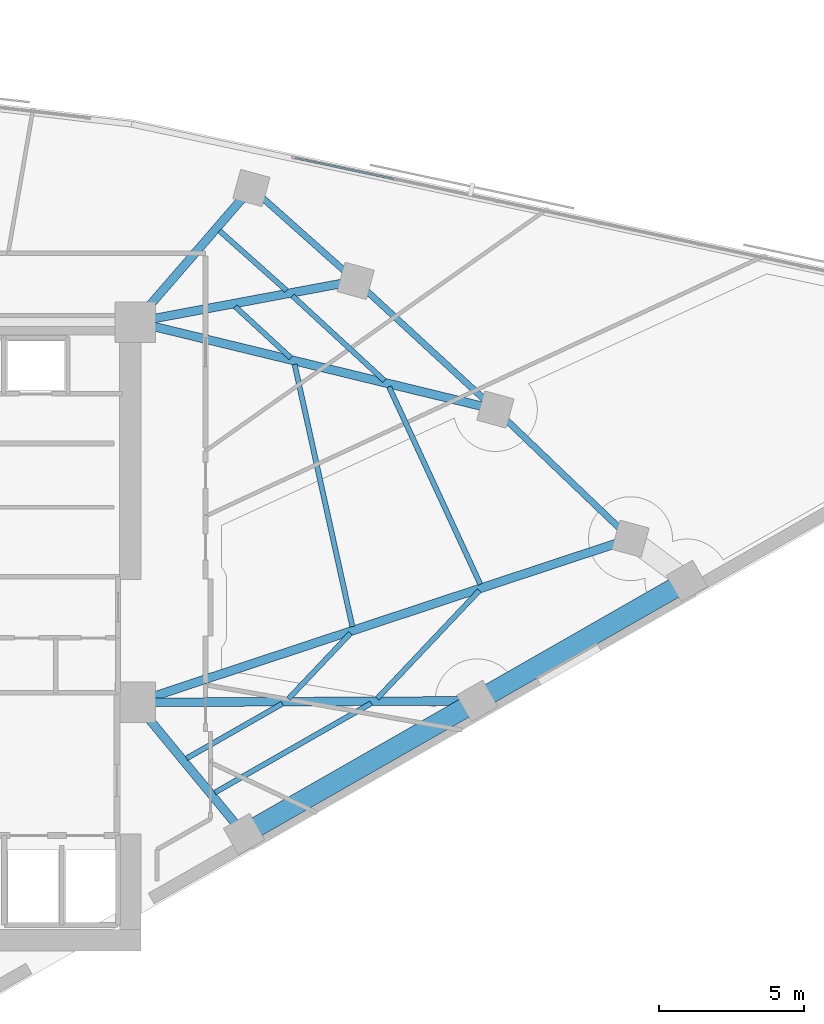
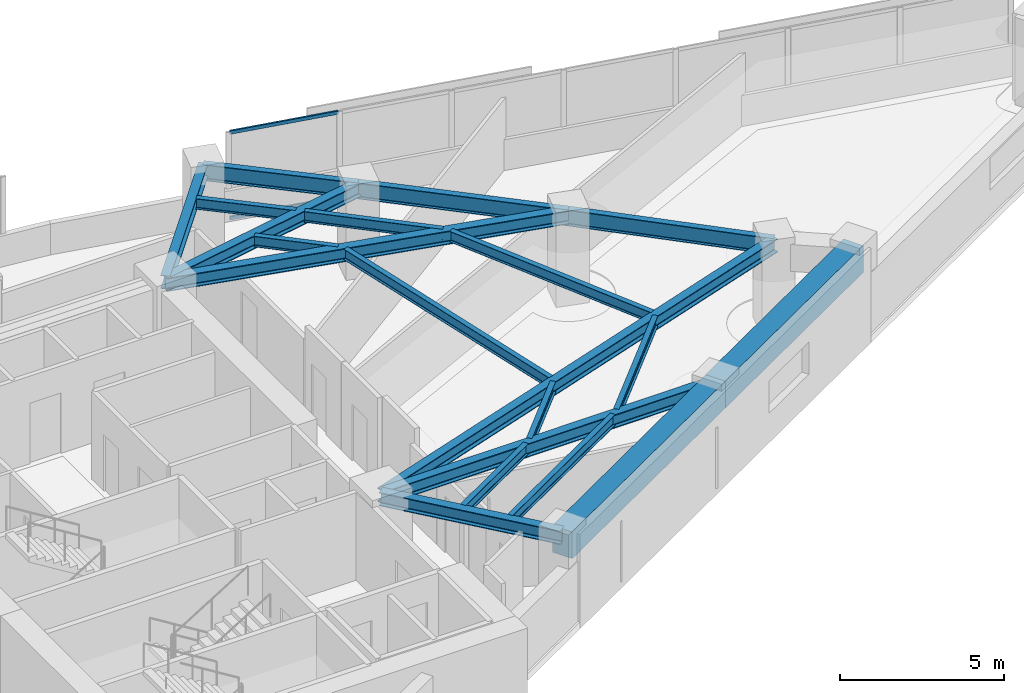
# One storey, part 3 of 14: 20 beams, 2 members, 1 element without a shape of its own.
"""IFC4 building model written with IfcOpenShell, lengths in metres."""

from ifc_helpers import new_model, si_unit, direction, frame, origin, origin_2d, place, context, subcontext, project, spatial, rectangle, hollow_rectangle, i_section, extrude, material, material_profile, profile_set, type_object, element, aggregate, save


model = new_model("IFC4")

# Units and contexts
model_context = context("Model", 3, precision=1e-05, world=origin(), true_north=direction((0.0, 1.0)))
body_context = subcontext(model_context, "Body", "Model", "MODEL_VIEW")
ifc_project = project(units=[si_unit("LENGTHUNIT", "METRE"), si_unit("AREAUNIT", "SQUARE_METRE"), si_unit("VOLUMEUNIT", "CUBIC_METRE"), si_unit("PLANEANGLEUNIT", "RADIAN"), si_unit("MASSUNIT", "GRAM", prefix="KILO")], contexts=[model_context])

# Site, building, storey
site_placement = place(None, origin())
site = spatial("IfcSite", under=ifc_project, at=site_placement, CompositionType="ELEMENT")
building_placement = place(site_placement, origin())
building = spatial("IfcBuilding", under=site, at=building_placement, Name="Narakoshi Arena Tower", CompositionType="ELEMENT")
storey_placement = place(building_placement, frame((0.0, 0.0, 207.93994140625)))
storey = spatial("IfcBuildingStorey", under=building, at=storey_placement, Name="L56", CompositionType="ELEMENT", Elevation=207.93994140625)

# Beams
ifc_material_1 = material(Name="Concrete C60/75", Category="concrete")
ifc_material_profile_1 = material_profile(ifc_material_1, rectangle(XDim=0.699951171875, YDim=1.0, at=origin_2d()), Name="RCB700x1000")
ifc_profile_set_1 = profile_set([ifc_material_profile_1], Name="Concrete C60/75")
beam_type_1 = type_object("IfcBeamType", Name="BM-CPL-1000", PredefinedType="BEAM", material=ifc_profile_set_1)
beam_1_placement = place(storey_placement, frame((89.30810546875, 38.798583984375, 2.760009765625), z_axis=(0.868201055882, 0.496212582031, 0.0), x_axis=(-0.496212582031, 0.868201055882, 0.0)))
element("IfcBeam", 1, at=beam_1_placement, inside=storey, type_object=beam_type_1, Name="L56 Perimeter Edge Girder 01", PredefinedType="BEAM", context=body_context, shape_type="SweptSolid", body=[
    extrude(rectangle(XDim=0.699951171875, YDim=1.0, at=origin_2d()), origin(), (0.0, 0.0, 1.0), 9.2822265625),
])
beam_2_placement = place(storey_placement, frame((97.366943359375, 43.404541015625, 2.760009765625), z_axis=(0.868192782093, 0.49622705803, 0.0), x_axis=(-0.49622705803, 0.868192782093, 0.0)))
element("IfcBeam", 2, at=beam_2_placement, inside=storey, type_object=beam_type_1, Name="L56 Perimeter Edge Girder 02", PredefinedType="BEAM", context=body_context, shape_type="SweptSolid", body=[
    extrude(rectangle(XDim=0.699951171875, YDim=1.0, at=origin_2d()), origin(), (0.0, 0.0, 1.0), 8.35400390625),
])
ifc_material_2 = material(Name="Structural steel S355J2", Category="steel")
ifc_material_profile_2 = material_profile(ifc_material_2, i_section(OverallWidth=0.219970703125, OverallDepth=0.60009765625, WebThickness=0.011962890625, FlangeThickness=0.01904296875, FilletRadius=0.02392578125, at=origin_2d()), Name="IPE600")
ifc_profile_set_2 = profile_set([ifc_material_profile_2], Name="Structural steel S355J2")
beam_type_2 = type_object("IfcBeamType", Name="BM-EDGE-600", PredefinedType="BEAM", material=ifc_profile_set_2)
beam_3_placement = place(storey_placement, frame((102.668701171875, 49.009521484375, 2.9599609375), z_axis=(-0.722814960544, 0.691041628858, 0.0), x_axis=(-0.691041628858, -0.722814960544, 0.0)))
element("IfcBeam", 3, at=beam_3_placement, inside=storey, type_object=beam_type_2, Name="L56 Perimeter Edge Girder 04", PredefinedType="BEAM", context=body_context, shape_type="SweptSolid", body=[
    extrude(i_section(OverallWidth=0.219970703125, OverallDepth=0.60009765625, WebThickness=0.011962890625, FlangeThickness=0.01904296875, FilletRadius=0.02392578125, at=origin_2d()), origin(), (0.0, 0.0, 1.0), 6.462158203125),
])
beam_4_placement = place(storey_placement, frame((97.997802734375, 53.47509765625, 2.9599609375), z_axis=(-0.735632357906, 0.677381010954, 0.0), x_axis=(-0.677381010954, -0.735632357906, 0.0)))
element("IfcBeam", 4, at=beam_4_placement, inside=storey, type_object=beam_type_2, Name="L56 Perimeter Edge Girder 05", PredefinedType="BEAM", context=body_context, shape_type="SweptSolid", body=[
    extrude(i_section(OverallWidth=0.219970703125, OverallDepth=0.60009765625, WebThickness=0.011962890625, FlangeThickness=0.01904296875, FilletRadius=0.02392578125, at=origin_2d()), origin(), (0.0, 0.0, 1.0), 6.567626953125),
])
beam_5_placement = place(storey_placement, frame((93.16650390625, 57.923828125, 2.9599609375), z_axis=(-0.746739302131, 0.665116842857, 0.0), x_axis=(-0.665116842857, -0.746739302131, 0.0)))
element("IfcBeam", 5, at=beam_5_placement, inside=storey, type_object=beam_type_2, Name="L56 Perimeter Edge Girder 06", PredefinedType="BEAM", context=body_context, shape_type="SweptSolid", body=[
    extrude(i_section(OverallWidth=0.219970703125, OverallDepth=0.60009765625, WebThickness=0.011962890625, FlangeThickness=0.01904296875, FilletRadius=0.02392578125, at=origin_2d()), origin(), (0.0, 0.0, 1.0), 4.82763671875),
])
ifc_material_profile_3 = material_profile(ifc_material_2, i_section(OverallWidth=0.300048828125, OverallDepth=0.5, WebThickness=0.014404296875, FlangeThickness=0.028076171875, FilletRadius=0.027099609375, at=origin_2d()), Name="HE500B")
ifc_profile_set_3 = profile_set([ifc_material_profile_3], Name="Structural steel S355J2")
beam_type_3 = type_object("IfcBeamType", Name="BM-PRI-500", PredefinedType="BEAM", material=ifc_profile_set_3)
beam_6_placement = place(storey_placement, frame((85.550048828125, 43.35009765625, 3.010009765625), z_axis=(0.63669116064, -0.771118905204, 0.0), x_axis=(0.771118905204, 0.63669116064, 0.0)))
element("IfcBeam", 6, at=beam_6_placement, inside=storey, type_object=beam_type_3, Name="L56 Radial Primary Floor Girder 01", PredefinedType="BEAM", context=body_context, shape_type="SweptSolid", body=[
    extrude(i_section(OverallWidth=0.300048828125, OverallDepth=0.5, WebThickness=0.014404296875, FlangeThickness=0.028076171875, FilletRadius=0.027099609375, at=origin_2d()), origin(), (0.0, 0.0, 1.0), 5.902587890625),
])
beam_7_placement = place(storey_placement, frame((85.550048828125, 43.35009765625, 3.010009765625), z_axis=(0.999989386804, 0.004607198737, 0.0), x_axis=(-0.004607198737, 0.999989386804, 0.0)))
element("IfcBeam", 7, at=beam_7_placement, inside=storey, type_object=beam_type_3, Name="L56 Radial Primary Floor Girder 02", PredefinedType="BEAM", context=body_context, shape_type="SweptSolid", body=[
    extrude(i_section(OverallWidth=0.300048828125, OverallDepth=0.5, WebThickness=0.014404296875, FlangeThickness=0.028076171875, FilletRadius=0.027099609375, at=origin_2d()), origin(), (0.0, 0.0, 1.0), 11.817138671875),
])
beam_8_placement = place(storey_placement, frame((85.550048828125, 43.35009765625, 3.010009765625), z_axis=(0.949459022771, 0.313891006687, 0.0), x_axis=(-0.313891006687, 0.949459022771, 0.0)))
element("IfcBeam", 8, at=beam_8_placement, inside=storey, type_object=beam_type_3, Name="L56 Radial Primary Floor Girder 04", PredefinedType="BEAM", context=body_context, shape_type="SweptSolid", body=[
    extrude(i_section(OverallWidth=0.300048828125, OverallDepth=0.5, WebThickness=0.014404296875, FlangeThickness=0.028076171875, FilletRadius=0.027099609375, at=origin_2d()), origin(), (0.0, 0.0, 1.0), 18.02978515625),
])
beam_9_placement = place(storey_placement, frame((85.550048828125, 56.5, 3.010009765625), z_axis=(0.971720101952, -0.236135646318, 0.0), x_axis=(0.236135646318, 0.971720101952, 0.0)))
element("IfcBeam", 9, at=beam_9_placement, inside=storey, type_object=beam_type_3, Name="L56 Radial Primary Floor Girder 05", PredefinedType="BEAM", context=body_context, shape_type="SweptSolid", body=[
    extrude(i_section(OverallWidth=0.300048828125, OverallDepth=0.5, WebThickness=0.014404296875, FlangeThickness=0.028076171875, FilletRadius=0.027099609375, at=origin_2d()), origin(), (0.0, 0.0, 1.0), 12.81005859375),
])
beam_10_placement = place(storey_placement, frame((85.550048828125, 56.5, 3.010009765625), z_axis=(0.982971563011, 0.183757738099, 0.0), x_axis=(-0.183757738099, 0.982971563011, 0.0)))
element("IfcBeam", 10, at=beam_10_placement, inside=storey, type_object=beam_type_3, Name="L56 Radial Primary Floor Girder 06", PredefinedType="BEAM", context=body_context, shape_type="SweptSolid", body=[
    extrude(i_section(OverallWidth=0.300048828125, OverallDepth=0.5, WebThickness=0.014404296875, FlangeThickness=0.028076171875, FilletRadius=0.027099609375, at=origin_2d()), origin(), (0.0, 0.0, 1.0), 7.748291015625),
])
beam_11_placement = place(storey_placement, frame((85.550048828125, 56.5, 3.010009765625), z_axis=(0.654434553487, 0.756118651537, 0.0), x_axis=(-0.756118651537, 0.654434553487, 0.0)))
element("IfcBeam", 11, at=beam_11_placement, inside=storey, type_object=beam_type_3, Name="L56 Radial Primary Floor Girder 07", PredefinedType="BEAM", context=body_context, shape_type="SweptSolid", body=[
    extrude(i_section(OverallWidth=0.300048828125, OverallDepth=0.5, WebThickness=0.014404296875, FlangeThickness=0.028076171875, FilletRadius=0.027099609375, at=origin_2d()), origin(), (0.0, 0.0, 1.0), 6.129638671875),
])
ifc_material_profile_4 = material_profile(ifc_material_2, i_section(OverallWidth=0.179931640625, OverallDepth=0.39990234375, WebThickness=0.008544921875, FlangeThickness=0.013427734375, FilletRadius=0.02099609375, at=origin_2d()), Name="IPE400")
ifc_profile_set_4 = profile_set([ifc_material_profile_4], Name="Structural steel S355J2")
beam_type_4 = type_object("IfcBeamType", Name="BM-SEC-400", PredefinedType="JOIST", material=ifc_profile_set_4)
beam_12_placement = place(storey_placement, frame((87.32080078125, 41.414306640625, 3.06005859375), z_axis=(0.868195867723, 0.496221659411, 0.0), x_axis=(-0.496221659411, 0.868195867723, 0.0)))
element("IfcBeam", 12, at=beam_12_placement, inside=storey, type_object=beam_type_4, Name="L56 Composite Secondary Floor Joist 01", PredefinedType="JOIST", context=body_context, shape_type="SweptSolid", body=[
    extrude(i_section(OverallWidth=0.179931640625, OverallDepth=0.39990234375, WebThickness=0.008544921875, FlangeThickness=0.013427734375, FilletRadius=0.02099609375, at=origin_2d()), origin(), (0.0, 0.0, 1.0), 3.81396484375),
])
beam_13_placement = place(storey_placement, frame((88.2978515625, 40.23095703125, 3.06005859375), z_axis=(0.8681900623, 0.496231816517, 0.0), x_axis=(-0.496231816517, 0.8681900623, 0.0)))
element("IfcBeam", 13, at=beam_13_placement, inside=storey, type_object=beam_type_4, Name="L56 Composite Secondary Floor Joist 02", PredefinedType="JOIST", context=body_context, shape_type="SweptSolid", body=[
    extrude(i_section(OverallWidth=0.179931640625, OverallDepth=0.39990234375, WebThickness=0.008544921875, FlangeThickness=0.013427734375, FilletRadius=0.02099609375, at=origin_2d()), origin(), (0.0, 0.0, 1.0), 6.2275390625),
])
beam_14_placement = place(storey_placement, frame((90.84228515625, 43.47216796875, 3.06005859375), z_axis=(0.687183136643, 0.726484230189, 0.0), x_axis=(-0.726484230189, 0.687183136643, 0.0)))
element("IfcBeam", 14, at=beam_14_placement, inside=storey, type_object=beam_type_4, Name="L56 Composite Secondary Floor Joist 03", PredefinedType="JOIST", context=body_context, shape_type="SweptSolid", body=[
    extrude(i_section(OverallWidth=0.179931640625, OverallDepth=0.39990234375, WebThickness=0.008544921875, FlangeThickness=0.013427734375, FilletRadius=0.02099609375, at=origin_2d()), origin(), (0.0, 0.0, 1.0), 3.124755859375),
])
beam_15_placement = place(storey_placement, frame((93.91455078125, 43.486328125, 3.06005859375), z_axis=(0.687205962341, 0.726462638628, 0.0), x_axis=(-0.726462638628, 0.687205962341, 0.0)))
element("IfcBeam", 15, at=beam_15_placement, inside=storey, type_object=beam_type_4, Name="L56 Composite Secondary Floor Joist 04", PredefinedType="JOIST", context=body_context, shape_type="SweptSolid", body=[
    extrude(i_section(OverallWidth=0.179931640625, OverallDepth=0.39990234375, WebThickness=0.008544921875, FlangeThickness=0.013427734375, FilletRadius=0.02099609375, at=origin_2d()), origin(), (0.0, 0.0, 1.0), 5.130859375),
])
beam_16_placement = place(storey_placement, frame((93.05322265625, 45.971923828125, 3.06005859375), z_axis=(-0.215142244311, 0.976582722924, 0.0), x_axis=(-0.976582722924, -0.215142244311, 0.0)))
element("IfcBeam", 16, at=beam_16_placement, inside=storey, type_object=beam_type_4, Name="L56 Composite Secondary Floor Joist 05", PredefinedType="JOIST", context=body_context, shape_type="SweptSolid", body=[
    extrude(i_section(OverallWidth=0.179931640625, OverallDepth=0.39990234375, WebThickness=0.008544921875, FlangeThickness=0.013427734375, FilletRadius=0.02099609375, at=origin_2d()), origin(), (0.0, 0.0, 1.0), 9.282470703125),
])
beam_17_placement = place(storey_placement, frame((97.4765625, 47.43408203125, 3.06005859375), z_axis=(-0.419696271228, 0.907664607615, 0.0), x_axis=(-0.907664607615, -0.419696271228, 0.0)))
element("IfcBeam", 17, at=beam_17_placement, inside=storey, type_object=beam_type_4, Name="L56 Composite Secondary Floor Joist 06", PredefinedType="JOIST", context=body_context, shape_type="SweptSolid", body=[
    extrude(i_section(OverallWidth=0.179931640625, OverallDepth=0.39990234375, WebThickness=0.008544921875, FlangeThickness=0.013427734375, FilletRadius=0.02099609375, at=origin_2d()), origin(), (0.0, 0.0, 1.0), 7.520263671875),
])
beam_18_placement = place(storey_placement, frame((90.927734375, 55.260498046875, 3.06005859375), z_axis=(-0.735628197446, 0.677385529166, 0.0), x_axis=(-0.677385529166, -0.735628197446, 0.0)))
element("IfcBeam", 18, at=beam_18_placement, inside=storey, type_object=beam_type_4, Name="L56 Composite Secondary Floor Joist 07", PredefinedType="JOIST", context=body_context, shape_type="SweptSolid", body=[
    extrude(i_section(OverallWidth=0.179931640625, OverallDepth=0.39990234375, WebThickness=0.008544921875, FlangeThickness=0.013427734375, FilletRadius=0.02099609375, at=origin_2d()), origin(), (0.0, 0.0, 1.0), 2.619873046875),
])
beam_19_placement = place(storey_placement, frame((94.164306640625, 54.47412109375, 3.06005859375), z_axis=(-0.735672341295, 0.677337586624, 0.0), x_axis=(-0.677337586624, -0.735672341295, 0.0)))
element("IfcBeam", 19, at=beam_19_placement, inside=storey, type_object=beam_type_4, Name="L56 Composite Secondary Floor Joist 08", PredefinedType="JOIST", context=body_context, shape_type="SweptSolid", body=[
    extrude(i_section(OverallWidth=0.179931640625, OverallDepth=0.39990234375, WebThickness=0.008544921875, FlangeThickness=0.013427734375, FilletRadius=0.02099609375, at=origin_2d()), origin(), (0.0, 0.0, 1.0), 4.327392578125),
])
beam_20_placement = place(storey_placement, frame((90.78076171875, 57.58642578125, 3.06005859375), z_axis=(-0.746720111739, 0.665138387649, 0.0), x_axis=(-0.665138387649, -0.746720111739, 0.0)))
element("IfcBeam", 20, at=beam_20_placement, inside=storey, type_object=beam_type_4, Name="L56 Composite Secondary Floor Joist 09", PredefinedType="JOIST", context=body_context, shape_type="SweptSolid", body=[
    extrude(i_section(OverallWidth=0.179931640625, OverallDepth=0.39990234375, WebThickness=0.008544921875, FlangeThickness=0.013427734375, FilletRadius=0.02099609375, at=origin_2d()), origin(), (0.0, 0.0, 1.0), 3.109375),
])

# Curtain wall, members
ifc_material_3 = material(Name="Anodised bronze aluminium 6063-T6", Category="aluminium")
curtain_wall_type = type_object("IfcCurtainWallType", Name="CW-HYP-MID", PredefinedType="NOTDEFINED", material=ifc_material_3)
curtain_wall_placement = place(storey_placement, origin())
curtain_wall = element("IfcCurtainWall", 21, at=curtain_wall_placement, inside=storey, type_object=curtain_wall_type, Name="L56 Folded Hypotenuse Curtain Wall 1-1", PredefinedType="NOTDEFINED")
ifc_material_profile_5 = material_profile(ifc_material_3, hollow_rectangle(XDim=0.06494140625, YDim=0.1298828125, WallThickness=0.00390625, OuterFilletRadius=0.0048828125, at=origin_2d()), Name="TRN130x65x4")
ifc_profile_set_5 = profile_set([ifc_material_profile_5], Name="Anodised bronze aluminium 6063-T6")
member_type = type_object("IfcMemberType", Name="MEM-TRN-130", PredefinedType="USERDEFINED", material=ifc_profile_set_5)
member_1_placement = place(storey_placement, frame((94.4892578125, 61.442138671875, 0.032470703125), z_axis=(-0.977945872942, 0.208858491797, 0.0), x_axis=(-0.208858491797, -0.977945872942, 0.0)))
member_1 = element("IfcMember", 22, at=member_1_placement, type_object=member_type, Name="CW-02 transom 7.1", ObjectType="TRANSOM", PredefinedType="USERDEFINED", context=body_context, shape_type="SweptSolid", body=[
    extrude(hollow_rectangle(XDim=0.06494140625, YDim=0.1298828125, WallThickness=0.00390625, OuterFilletRadius=0.0048828125, at=origin_2d()), origin(), (0.0, 0.0, 1.0), 3.48095703125),
])
member_2_placement = place(storey_placement, frame((94.4892578125, 61.442138671875, 3.2275390625), z_axis=(-0.977945872942, 0.208858491797, 0.0), x_axis=(-0.208858491797, -0.977945872942, 0.0)))
member_2 = element("IfcMember", 23, at=member_2_placement, type_object=member_type, Name="CW-02 transom 7.2", ObjectType="TRANSOM", PredefinedType="USERDEFINED", context=body_context, shape_type="SweptSolid", body=[
    extrude(hollow_rectangle(XDim=0.06494140625, YDim=0.1298828125, WallThickness=0.00390625, OuterFilletRadius=0.0048828125, at=origin_2d()), origin(), (0.0, 0.0, 1.0), 3.48095703125),
])
aggregate(curtain_wall, [member_1, member_2])

save(model, "model.ifc")
